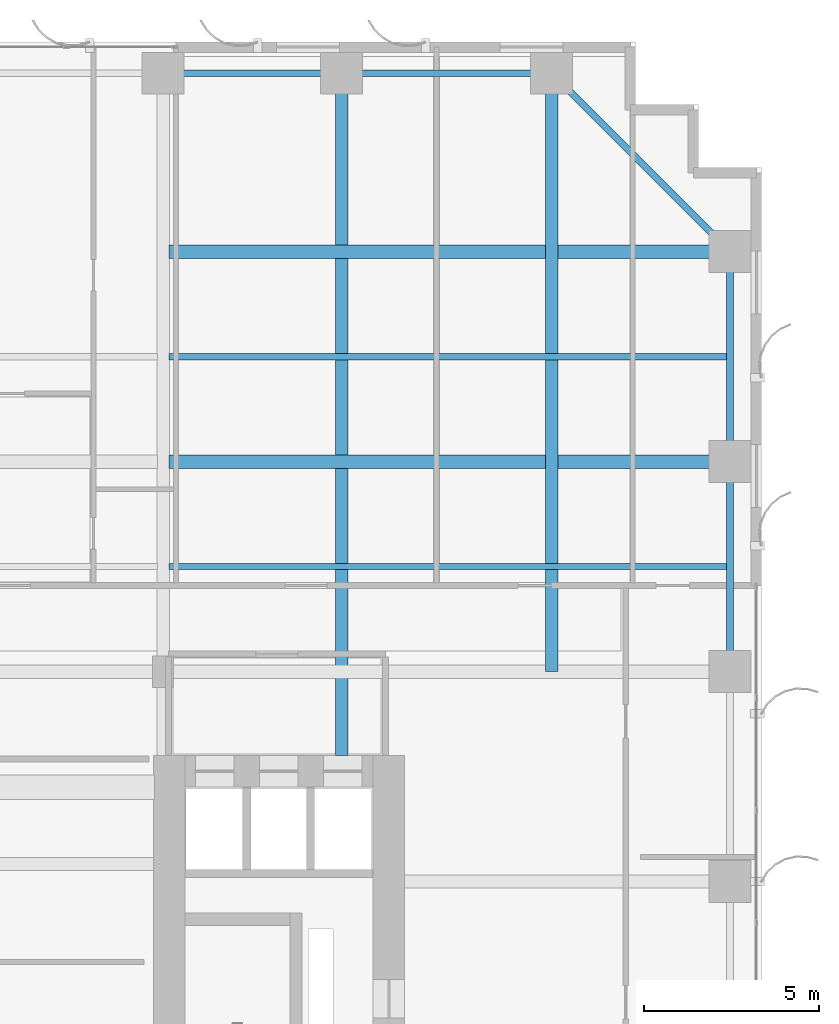
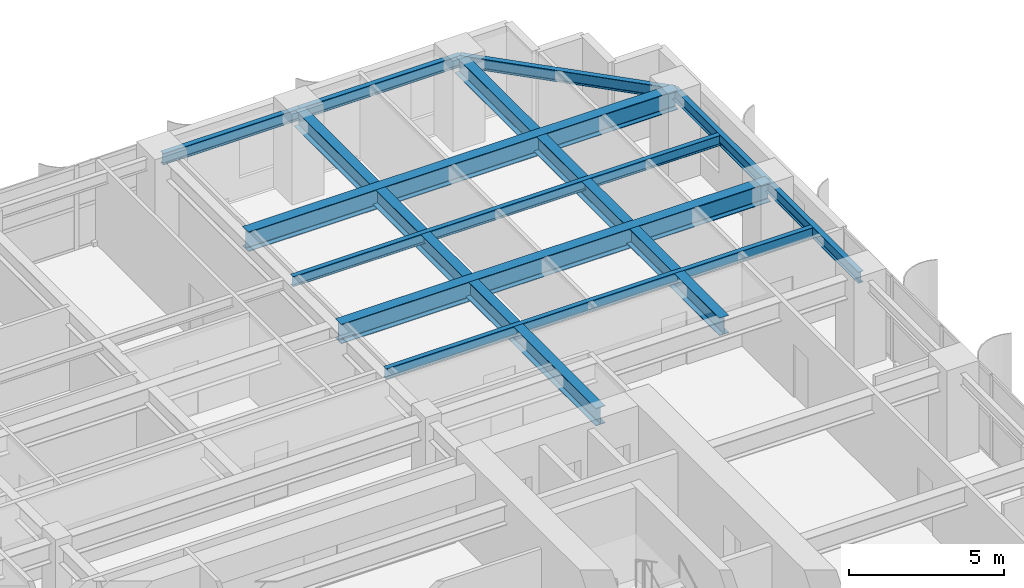
# One storey, part 12 of 24: 11 beams.
"""IFC4 building model written with IfcOpenShell, lengths in metres."""

from ifc_helpers import new_model, si_unit, direction, frame, origin, origin_2d, place, context, subcontext, project, spatial, i_section, extrude, source, transform, mapped, material, material_profile, profile_set, type_object, element, save


model = new_model("IFC4")

# Units and contexts
model_context = context("Model", 3, precision=1e-05, world=origin(), true_north=direction((0.0, 1.0)))
body_context = subcontext(model_context, "Body", "Model", "MODEL_VIEW")
ifc_project = project(units=[si_unit("LENGTHUNIT", "METRE"), si_unit("AREAUNIT", "SQUARE_METRE"), si_unit("VOLUMEUNIT", "CUBIC_METRE"), si_unit("PLANEANGLEUNIT", "RADIAN"), si_unit("MASSUNIT", "GRAM", prefix="KILO")], contexts=[model_context])

# Site, building, storey
site_placement = place(None, origin())
site = spatial("IfcSite", under=ifc_project, at=site_placement, CompositionType="ELEMENT")
building_placement = place(site_placement, origin())
building = spatial("IfcBuilding", under=site, at=building_placement, Name="Khoralis Quay Care Tower", CompositionType="ELEMENT")
storey_placement = place(building_placement, frame((0.0, 0.0, 40.5)))
storey = spatial("IfcBuildingStorey", under=building, at=storey_placement, Name="L10", CompositionType="ELEMENT", Elevation=40.5)

# Beams
ifc_material = material(Name="Steel S355", Category="steel")
ifc_material_profile_1 = material_profile(ifc_material, i_section(OverallWidth=0.18994140625, OverallDepth=0.449951171875, WebThickness=0.009521484375, FlangeThickness=0.0146484375, FilletRadius=0.02099609375, at=origin_2d()), Name="Steel S355")
ifc_profile_set_1 = profile_set([ifc_material_profile_1], Name="Steel S355")
beam_type_1 = type_object("IfcBeamType", Name="BM-IPE450", PredefinedType="SPANDREL", material=ifc_profile_set_1)
shared_shape_1 = source(origin(), body_context, "Body", "SweptSolid", [
    extrude(i_section(OverallWidth=0.18994140625, OverallDepth=0.449951171875, WebThickness=0.009521484375, FlangeThickness=0.0146484375, FilletRadius=0.02099609375, at=origin_2d()), origin(), (0.0, 0.0, 1.0), 6.0),
])
for number, where, z_axis, x_axis, name in (
    (1, (36.0, 47.10009765625, 3.094970703125), (1.0, 0.0, 0.0), (0.0, 1.0, 0.0), "BM-TSP-L10-12"),
    (2, (47.10009765625, 30.0, 3.094970703125), (0.0, 1.0, 0.0), (-1.0, 0.0, 0.0), "BM-TSP-L10-23"),
    (3, (47.10009765625, 36.0, 3.094970703125), (0.0, 1.0, 0.0), (-1.0, 0.0, 0.0), "BM-TSP-L10-24"),
):
    element("IfcBeam", number, at=place(storey_placement, frame(where, z_axis=z_axis, x_axis=x_axis)), inside=storey, type_object=beam_type_1, Name=name, PredefinedType="SPANDREL", context=body_context, shape_type="MappedRepresentation", body=[
        mapped(shared_shape_1, transform((0.0, 0.0, 0.0), scale=1.0)),
    ])
shared_shape_2 = source(origin(), body_context, "Body", "SweptSolid", [
    extrude(i_section(OverallWidth=0.18994140625, OverallDepth=0.449951171875, WebThickness=0.009521484375, FlangeThickness=0.0146484375, FilletRadius=0.02099609375, at=origin_2d()), origin(), (0.0, 0.0, 1.0), 5.10009765625),
])
beam_1_placement = place(storey_placement, frame((30.89990234375, 47.10009765625, 3.094970703125), z_axis=(1.0, 0.0, 0.0), x_axis=(0.0, 1.0, 0.0)))
element("IfcBeam", 4, at=beam_1_placement, inside=storey, type_object=beam_type_1, Name="BM-TSP-L10-11", PredefinedType="SPANDREL", context=body_context, shape_type="MappedRepresentation", body=[
    mapped(shared_shape_2, transform((0.0, 0.0, 0.0), scale=1.0)),
])
shared_shape_3 = source(origin(), body_context, "Body", "SweptSolid", [
    extrude(i_section(OverallWidth=0.18994140625, OverallDepth=0.449951171875, WebThickness=0.009521484375, FlangeThickness=0.0146484375, FilletRadius=0.02099609375, at=origin_2d()), origin(), (0.0, 0.0, 1.0), 7.212646484375),
])
beam_2_placement = place(storey_placement, frame((42.0, 47.10009765625, 3.094970703125), z_axis=(0.707106781187, -0.707106781187, 0.0), x_axis=(0.707106781187, 0.707106781187, 0.0)))
element("IfcBeam", 5, at=beam_2_placement, inside=storey, type_object=beam_type_1, Name="BM-TCR-L10-28", PredefinedType="SPANDREL", context=body_context, shape_type="MappedRepresentation", body=[
    mapped(shared_shape_3, transform((0.0, 0.0, 0.0), scale=1.0)),
])
ifc_material_profile_2 = material_profile(ifc_material, i_section(OverallWidth=0.381103515625, OverallDepth=0.77294921875, WebThickness=0.0166015625, FlangeThickness=0.027587890625, FilletRadius=0.02197265625, at=origin_2d()), Name="Steel S355")
ifc_profile_set_2 = profile_set([ifc_material_profile_2], Name="Steel S355")
beam_type_2 = type_object("IfcBeamType", Name="BM-W760X257", PredefinedType="BEAM", material=ifc_profile_set_2)
shared_shape_4 = source(origin(), body_context, "Body", "SweptSolid", [
    extrude(i_section(OverallWidth=0.381103515625, OverallDepth=0.77294921875, WebThickness=0.0166015625, FlangeThickness=0.027587890625, FilletRadius=0.02197265625, at=origin_2d()), origin(), (0.0, 0.0, 1.0), 16.03466796875),
])
for number, where, z_axis, x_axis, name in (
    (6, (31.0654296875, 36.0, 2.93359375), (1.0, 0.0, 0.0), (0.0, 1.0, 0.0), "BM-TGXE-L10-360"),
    (7, (31.0654296875, 42.0, 2.93359375), (1.0, 0.0, 0.0), (0.0, 1.0, 0.0), "BM-TGXE-L10-420"),
):
    element("IfcBeam", number, at=place(storey_placement, frame(where, z_axis=z_axis, x_axis=x_axis)), inside=storey, type_object=beam_type_2, Name=name, PredefinedType="BEAM", context=body_context, shape_type="MappedRepresentation", body=[
        mapped(shared_shape_4, transform((0.0, 0.0, 0.0), scale=1.0)),
    ])
ifc_material_profile_3 = material_profile(ifc_material, i_section(OverallWidth=0.35498046875, OverallDepth=0.695068359375, WebThickness=0.015380859375, FlangeThickness=0.02490234375, FilletRadius=0.02001953125, at=origin_2d()), Name="Steel S355")
ifc_profile_set_3 = profile_set([ifc_material_profile_3], Name="Steel S355")
beam_type_3 = type_object("IfcBeamType", Name="BM-W690X217", PredefinedType="BEAM", material=ifc_profile_set_3)
shared_shape_5 = source(origin(), body_context, "Body", "SweptSolid", [
    extrude(i_section(OverallWidth=0.35498046875, OverallDepth=0.695068359375, WebThickness=0.015380859375, FlangeThickness=0.02490234375, FilletRadius=0.02001953125, at=origin_2d()), origin(), (0.0, 0.0, 1.0), 17.10009765625),
])
beam_3_placement = place(storey_placement, frame((42.0, 30.0, 2.972412109375), z_axis=(0.0, 1.0, 0.0), x_axis=(-1.0, 0.0, 0.0)))
element("IfcBeam", 8, at=beam_3_placement, inside=storey, type_object=beam_type_3, Name="BM-TGYN-L10-420", PredefinedType="BEAM", context=body_context, shape_type="MappedRepresentation", body=[
    mapped(shared_shape_5, transform((0.0, 0.0, 0.0), scale=1.0)),
])
shared_shape_6 = source(origin(), body_context, "Body", "SweptSolid", [
    extrude(i_section(OverallWidth=0.35498046875, OverallDepth=0.695068359375, WebThickness=0.015380859375, FlangeThickness=0.02490234375, FilletRadius=0.02001953125, at=origin_2d()), origin(), (0.0, 0.0, 1.0), 19.502197265625),
])
beam_4_placement = place(storey_placement, frame((36.0, 27.597900390625, 2.972412109375), z_axis=(0.0, 1.0, 0.0), x_axis=(-1.0, 0.0, 0.0)))
element("IfcBeam", 9, at=beam_4_placement, inside=storey, type_object=beam_type_3, Name="BM-TGYN-L10-360", PredefinedType="BEAM", context=body_context, shape_type="MappedRepresentation", body=[
    mapped(shared_shape_6, transform((0.0, 0.0, 0.0), scale=1.0)),
])
ifc_material_profile_4 = material_profile(ifc_material, i_section(OverallWidth=0.177978515625, OverallDepth=0.406982421875, WebThickness=0.0078125, FlangeThickness=0.0126953125, FilletRadius=0.012939453125, at=origin_2d()), Name="Steel S355")
ifc_profile_set_4 = profile_set([ifc_material_profile_4], Name="Steel S355")
beam_type_4 = type_object("IfcBeamType", Name="BM-W410X60", PredefinedType="JOIST", material=ifc_profile_set_4)
shared_shape_7 = source(origin(), body_context, "Body", "SweptSolid", [
    extrude(i_section(OverallWidth=0.177978515625, OverallDepth=0.406982421875, WebThickness=0.0078125, FlangeThickness=0.0126953125, FilletRadius=0.012939453125, at=origin_2d()), origin(), (0.0, 0.0, 1.0), 15.95361328125),
])
for number, where, z_axis, x_axis, name in (
    (10, (31.0654296875, 33.0, 3.116455078125), (1.0, 0.0, 0.0), (0.0, 1.0, 0.0), "BM-TJS-L10-33"),
    (11, (31.0654296875, 39.0, 3.116455078125), (1.0, 0.0, 0.0), (0.0, 1.0, 0.0), "BM-TJS-L10-36"),
):
    element("IfcBeam", number, at=place(storey_placement, frame(where, z_axis=z_axis, x_axis=x_axis)), inside=storey, type_object=beam_type_4, Name=name, PredefinedType="JOIST", context=body_context, shape_type="MappedRepresentation", body=[
        mapped(shared_shape_7, transform((0.0, 0.0, 0.0), scale=1.0)),
    ])

save(model, "model.ifc")
